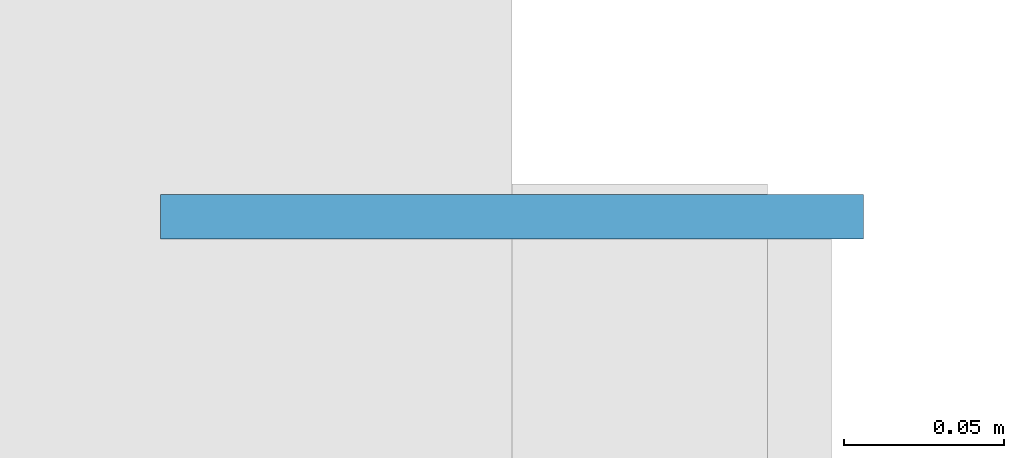
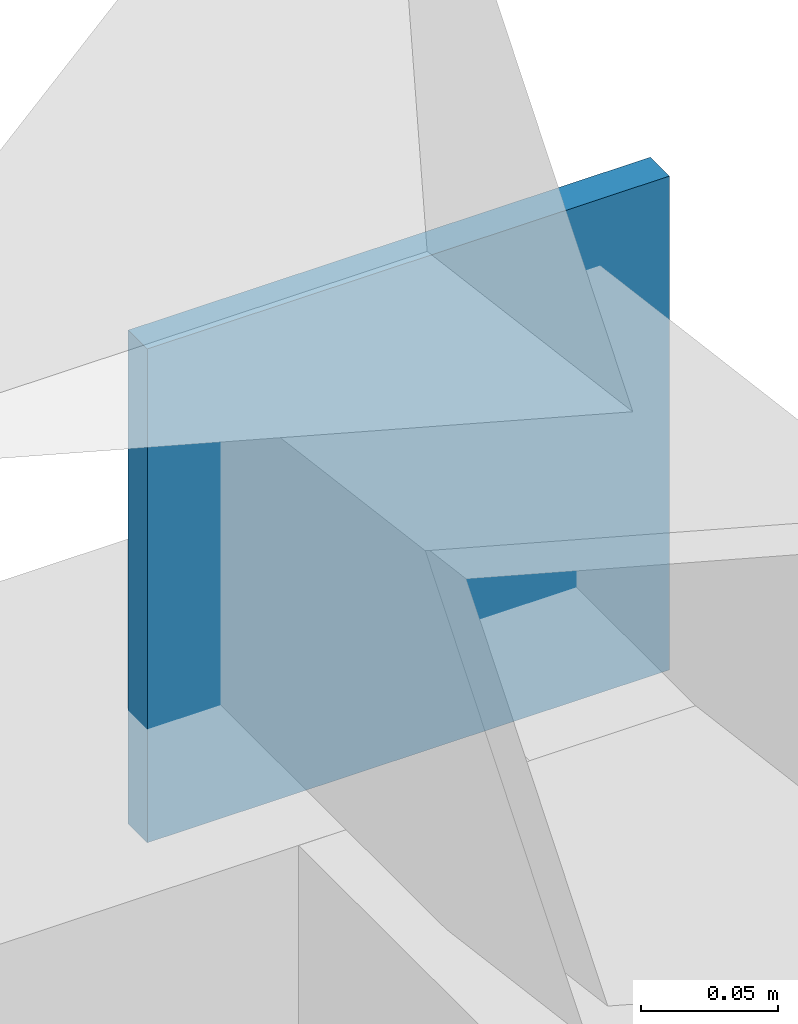
# One storey, part 90 of 119: 1 plate.
"""IFC4 building model written with IfcOpenShell, lengths in metres."""

from ifc_helpers import new_model, si_unit, direction, frame, origin, origin_2d, place, context, subcontext, project, spatial, rectangle, extrude, material, layer, layer_set, type_object, element, save


model = new_model("IFC4")

# Units and contexts
model_context = context("Model", 3, precision=1e-05, world=origin(), true_north=direction((0.0, 1.0)))
body_context = subcontext(model_context, "Body", "Model", "MODEL_VIEW")
ifc_project = project(units=[si_unit("LENGTHUNIT", "METRE"), si_unit("AREAUNIT", "SQUARE_METRE"), si_unit("VOLUMEUNIT", "CUBIC_METRE"), si_unit("PLANEANGLEUNIT", "RADIAN"), si_unit("MASSUNIT", "GRAM", prefix="KILO")], contexts=[model_context])

# Site, building, storey
site_placement = place(None, origin())
site = spatial("IfcSite", under=ifc_project, at=site_placement, CompositionType="ELEMENT")
building_placement = place(site_placement, origin())
building = spatial("IfcBuilding", under=site, at=building_placement, Name="Celorna Specialist Clinic", CompositionType="ELEMENT")
storey_placement = place(building_placement, frame((0.0, 0.0, 9.60009765625)))
storey = spatial("IfcBuildingStorey", under=building, at=storey_placement, Name="L02", CompositionType="ELEMENT", Elevation=9.60009765625)

# Plate
ifc_material = material(Name="Steel S355", Category="steel")
ifc_layer = layer(ifc_material, 0.01611328125, Name="Steel S355")
ifc_layer_set = layer_set([ifc_layer], Name="Steel S355")
plate_type = type_object("IfcPlateType", Name="EP-04", PredefinedType="SHEET", material=ifc_layer_set)
plate_placement = place(storey_placement, frame((168.0, 116.0, -0.31201171875), z_axis=(0.0, 0.0, 1.0), x_axis=(1.0, 0.0, 0.0)))
element("IfcPlate", 1, at=plate_placement, inside=storey, type_object=plate_type, Name="Rafter chord cap plate ROOF-V4-EAST-N", PredefinedType="SHEET", context=body_context, shape_type="SweptSolid", body=[
    extrude(rectangle(XDim=0.219970703125, YDim=0.013916015625, at=origin_2d()), origin(), (0.0, 0.0, 1.0), 0.219970703125),
])

save(model, "model.ifc")
